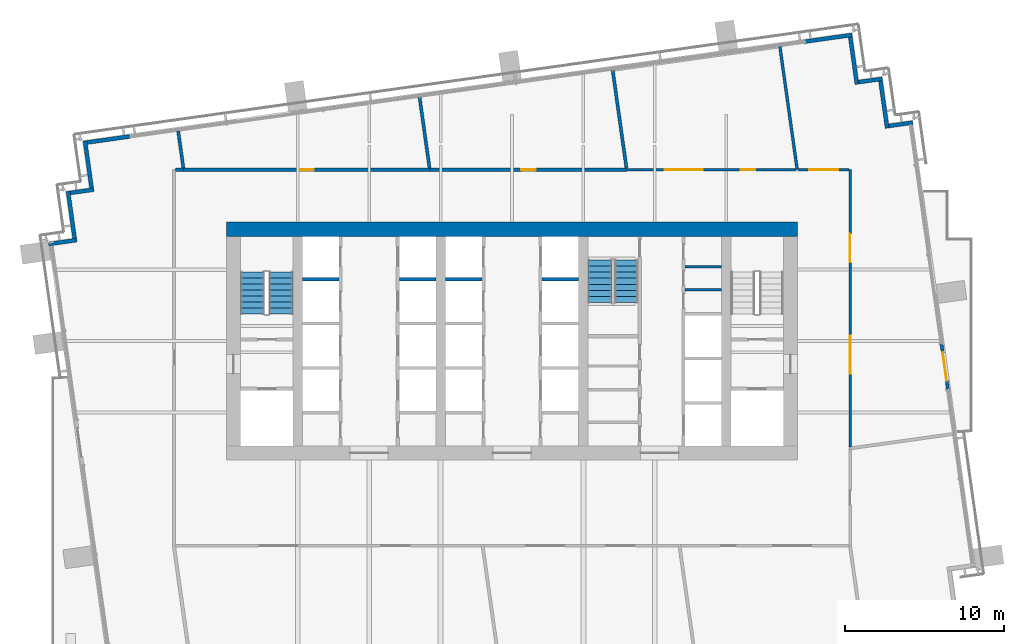
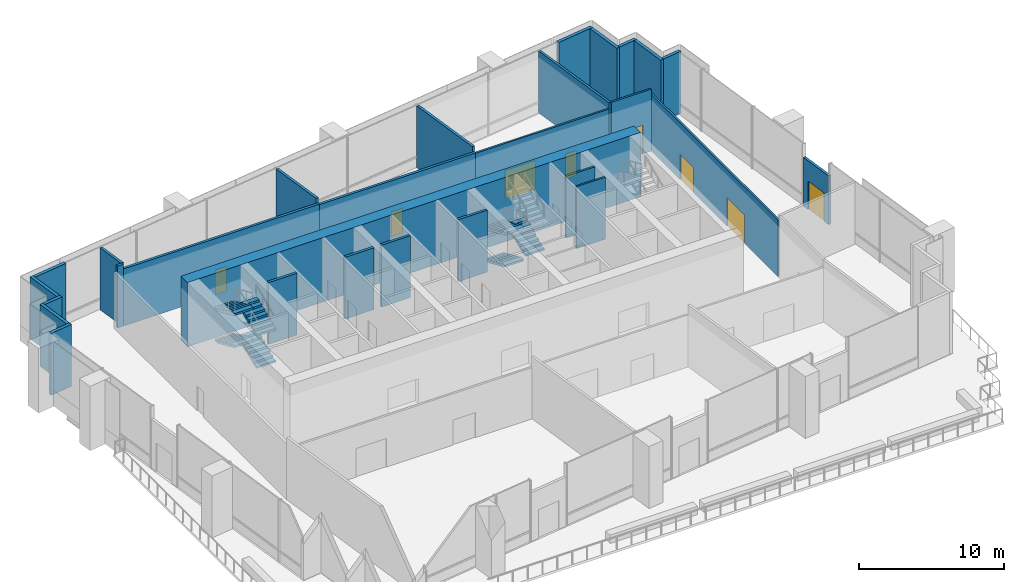
# One storey, part 10 of 17: 28 walls, 7 stair flights, 5 doors, 3 windows, 8 openings, 2 elements without a shape of their own.
"""IFC4 building model written with IfcOpenShell, lengths in metres."""

from ifc_helpers import new_model, si_unit, direction, frame, frame_2d, origin, place, context, subcontext, project, spatial, polyline, rectangle, outline, extrude, material, layer, layer_set, type_object, element, fill, aggregate, save


model = new_model("IFC4")

# Units and contexts
model_context = context("Model", 3, precision=1e-05, world=origin(), true_north=direction((0.0, 1.0)))
body_context = subcontext(model_context, "Body", "Model", "MODEL_VIEW")
ifc_project = project(units=[si_unit("LENGTHUNIT", "METRE"), si_unit("AREAUNIT", "SQUARE_METRE"), si_unit("VOLUMEUNIT", "CUBIC_METRE"), si_unit("PLANEANGLEUNIT", "RADIAN"), si_unit("MASSUNIT", "GRAM", prefix="KILO")], contexts=[model_context])

# Site, building, storey
site_placement = place(None, origin())
site = spatial("IfcSite", under=ifc_project, at=site_placement, CompositionType="ELEMENT")
building_placement = place(site_placement, origin())
building = spatial("IfcBuilding", under=site, at=building_placement, Name="Rattan Terrace Tower", CompositionType="ELEMENT")
storey_placement = place(building_placement, frame((0.0, 0.0, 163.10009765625)))
storey = spatial("IfcBuildingStorey", under=building, at=storey_placement, Name="L37", CompositionType="ELEMENT", Elevation=163.10009765625)

# Walls
ifc_material_1 = material(Name="Gypsum board partition")
ifc_layer_1 = layer(ifc_material_1, 0.14990234375)
ifc_layer_set_1 = layer_set([ifc_layer_1], Name="Core partition 150")
wall_type_1 = type_object("IfcWallType", Name="Core partition 150", PredefinedType="PARTITIONING", material=ifc_layer_set_1)
for number, where, z_axis, x_axis, name in (
    (1, (10.89990234375, 3.239990234375, 0.0), (0.0, 0.0, 1.0), (1.0, 0.0, 0.0), "Riser room wall"),
    (2, (10.89990234375, 4.679931640625, 0.0), (0.0, 0.0, 1.0), (1.0, 0.0, 0.0), "Riser room wall"),
):
    element("IfcWall", number, at=place(storey_placement, frame(where, z_axis=z_axis, x_axis=x_axis)), inside=storey, type_object=wall_type_1, Name=name, PredefinedType="PARTITIONING", context=body_context, shape_type="SweptSolid", body=[
        extrude(rectangle(XDim=2.300048828125, YDim=0.14990234375, at=frame_2d((1.14990234375, 0.0))), origin(), (0.0, 0.0, 1.0), 5.199951171875),
    ])
ifc_material_2 = material(Name="Concrete C60/75", Category="concrete")
ifc_layer_2 = layer(ifc_material_2, 0.89990234375)
ifc_layer_set_2 = layer_set([ifc_layer_2], Name="Core ring wall 900 C60/75")
wall_type_2 = type_object("IfcWallType", Name="Core ring wall 900 C60/75", PredefinedType="SHEAR", material=ifc_layer_set_2)
wall_1_placement = place(storey_placement, frame((-18.0, 7.050048828125, -0.2001953125), z_axis=(0.0, 0.0, 1.0), x_axis=(1.0, 0.0, 0.0)))
element("IfcWall", 3, at=wall_1_placement, inside=storey, type_object=wall_type_2, Name="Rear core wall north", PredefinedType="SHEAR", context=body_context, shape_type="SweptSolid", body=[
    extrude(rectangle(XDim=36.0, YDim=0.89990234375, at=frame_2d((18.0, 0.0))), origin(), (0.0, 0.0, 1.0), 5.400146484375),
])

# Wall, opening, door
ifc_material_3 = material(Name="Insulated aluminium-clad stud wall", Category="aluminium")
ifc_layer_3 = layer(ifc_material_3, 0.199951171875)
ifc_layer_set_3 = layer_set([ifc_layer_3], Name="Facade Door Wall 200")
wall_type_3 = type_object("IfcWallType", Name="Facade Door Wall 200", PredefinedType="SOLIDWALL", material=ifc_layer_set_3)
wall_2_placement = place(storey_placement, frame((27.4609375, -3.0185546875, 0.0), z_axis=(0.0, 0.0, 1.0), x_axis=(-0.139202330076, 0.990263960417, 0.0)))
wall_2 = element("IfcWall", 4, at=wall_2_placement, inside=storey, type_object=wall_type_3, Name="Terrace door wall L37-6", PredefinedType="SOLIDWALL", context=body_context, shape_type="SweptSolid", body=[
    extrude(rectangle(XDim=2.85009765625, YDim=0.199951171875, at=frame_2d((1.425048828125, 0.0))), origin(), (0.0, 0.0, 1.0), 4.099853515625),
])
opening_1_placement = place(wall_2_placement, frame((0.52490234375, 0.0, 0.0)))
opening_1 = element("IfcOpeningElement", 5, at=opening_1_placement, cuts=wall_2, Name="Opening L37-D701", PredefinedType="OPENING", context=body_context, shape_type="SweptSolid", body=[
    extrude(rectangle(XDim=1.800048828125, YDim=2.39990234375, at=frame_2d((0.89990234375, 1.199951171875))), frame((0.0, 0.110595703125, 0.0), z_axis=(0.0, -1.0, 0.0), x_axis=(1.0, 0.0, 0.0)), (0.0, 0.0, 1.0), 0.220947265625),
])
ifc_material_4 = material(Name="Aluminium and clear glass", Category="aluminium")
door_type_1 = type_object("IfcDoorType", Name="Facade Terrace Door 1800", OperationType="DOUBLE_DOOR_SINGLE_SWING", PredefinedType="DOOR", material=ifc_material_4)
door_1_placement = place(opening_1_placement, origin())
door_1 = element("IfcDoor", 6, at=door_1_placement, inside=storey, type_object=door_type_1, Name="Terrace door L37-D701", OperationType="DOUBLE_DOOR_SINGLE_SWING", OverallHeight=2.39990234375, OverallWidth=1.800048828125, PredefinedType="DOOR", context=body_context, shape_type="SweptSolid", body=[
    extrude(rectangle(XDim=1.800048828125, YDim=2.39990234375, at=frame_2d((0.89990234375, 1.199951171875))), frame((0.0, 0.02490234375, 0.0), z_axis=(0.0, -1.0, 0.0), x_axis=(1.0, 0.0, 0.0)), (0.0, 0.0, 1.0), 0.050048828125),
])
fill(opening_1, door_1)

# Walls
ifc_material_5 = material(Name="Insulated aluminium-clad stud wall", Category="aluminium")
ifc_layer_4 = layer(ifc_material_5, 0.25)
ifc_layer_set_4 = layer_set([ifc_layer_4], Name="Facade Riser Wall 250")
wall_type_4 = type_object("IfcWallType", Name="Facade Riser Wall 250", PredefinedType="SOLIDWALL", material=ifc_layer_set_4)
wall_3_placement = place(storey_placement, frame((25.2529296875, 13.767822265625, 0.0), z_axis=(0.0, 0.0, 1.0), x_axis=(-0.990248296447, -0.139313715703, 0.0)))
element("IfcWall", 7, at=wall_3_placement, inside=storey, type_object=wall_type_4, Name="Riser wall L37-7", PredefinedType="SOLIDWALL", context=body_context, shape_type="SweptSolid", body=[
    extrude(rectangle(XDim=1.524658203125, YDim=0.25, at=frame_2d((0.76220703125, 0.0))), origin(), (0.0, 0.0, 1.0), 5.199951171875),
])
wall_4_placement = place(storey_placement, frame((23.63671875, 13.414306640625, 0.0), z_axis=(0.0, 0.0, 1.0), x_axis=(-0.139313431826, 0.990248336385, 0.0)))
element("IfcWall", 8, at=wall_4_placement, inside=storey, type_object=wall_type_4, Name="Riser wall L37-8", PredefinedType="SOLIDWALL", context=body_context, shape_type="SweptSolid", body=[
    extrude(rectangle(XDim=3.000244140625, YDim=0.25, at=frame_2d((1.5, 0.0))), origin(), (0.0, 0.0, 1.0), 5.199951171875),
])
wall_5_placement = place(storey_placement, frame((23.3251953125, 16.5263671875, 0.0), z_axis=(0.0, 0.0, 1.0), x_axis=(-0.990243596651, -0.13934711799, 0.0)))
element("IfcWall", 9, at=wall_5_placement, inside=storey, type_object=wall_type_4, Name="Riser wall L37-9", PredefinedType="SOLIDWALL", context=body_context, shape_type="SweptSolid", body=[
    extrude(rectangle(XDim=1.499755859375, YDim=0.25, at=frame_2d((0.75, 0.0))), origin(), (0.0, 0.0, 1.0), 5.199951171875),
])
wall_6_placement = place(storey_placement, frame((21.733642578125, 16.17626953125, 0.0), z_axis=(0.0, 0.0, 1.0), x_axis=(-0.139313431826, 0.990248336385, 0.0)))
element("IfcWall", 10, at=wall_6_placement, inside=storey, type_object=wall_type_4, Name="Riser wall L37-10", PredefinedType="SOLIDWALL", context=body_context, shape_type="SweptSolid", body=[
    extrude(rectangle(XDim=3.000244140625, YDim=0.25, at=frame_2d((1.5, 0.0))), origin(), (0.0, 0.0, 1.0), 5.199951171875),
])
wall_7_placement = place(storey_placement, frame((21.422119140625, 19.288330078125, 0.0), z_axis=(0.0, 0.0, 1.0), x_axis=(-0.990246427036, -0.139327002919, 0.0)))
element("IfcWall", 11, at=wall_7_placement, inside=storey, type_object=wall_type_4, Name="Riser wall L37-11", PredefinedType="SOLIDWALL", context=body_context, shape_type="SweptSolid", body=[
    extrude(rectangle(XDim=2.954345703125, YDim=0.25, at=frame_2d((1.47705078125, 0.0))), origin(), (0.0, 0.0, 1.0), 5.199951171875),
])
wall_8_placement = place(storey_placement, frame((-24.08544921875, 12.892578125, 0.0), z_axis=(0.0, 0.0, 1.0), x_axis=(-0.990255800966, -0.139260362823, 0.0)))
element("IfcWall", 12, at=wall_8_placement, inside=storey, type_object=wall_type_4, Name="Riser wall L37-12", PredefinedType="SOLIDWALL", context=body_context, shape_type="SweptSolid", body=[
    extrude(rectangle(XDim=2.705078125, YDim=0.25, at=frame_2d((1.3525390625, 0.0))), origin(), (0.0, 0.0, 1.0), 5.199951171875),
])
wall_9_placement = place(storey_placement, frame((-26.9052734375, 12.6220703125, 0.0), z_axis=(0.0, 0.0, 1.0), x_axis=(0.139313431826, -0.990248336385, 0.0)))
element("IfcWall", 13, at=wall_9_placement, inside=storey, type_object=wall_type_4, Name="Riser wall L37-13", PredefinedType="SOLIDWALL", context=body_context, shape_type="SweptSolid", body=[
    extrude(rectangle(XDim=3.000244140625, YDim=0.25, at=frame_2d((1.5, 0.0))), origin(), (0.0, 0.0, 1.0), 5.199951171875),
])
wall_10_placement = place(storey_placement, frame((-26.34619140625, 9.54443359375, 0.0), z_axis=(0.0, 0.0, 1.0), x_axis=(-0.990368090482, -0.13845954411, 0.0)))
element("IfcWall", 14, at=wall_10_placement, inside=storey, type_object=wall_type_4, Name="Riser wall L37-14", PredefinedType="SOLIDWALL", context=body_context, shape_type="SweptSolid", body=[
    extrude(rectangle(XDim=1.50048828125, YDim=0.25, at=frame_2d((0.750244140625, 0.0))), origin(), (0.0, 0.0, 1.0), 5.199951171875),
])
wall_11_placement = place(storey_placement, frame((-27.973388671875, 9.443115234375, 0.0), z_axis=(0.0, 0.0, 1.0), x_axis=(0.139313431826, -0.990248336385, 0.0)))
element("IfcWall", 15, at=wall_11_placement, inside=storey, type_object=wall_type_4, Name="Riser wall L37-15", PredefinedType="SOLIDWALL", context=body_context, shape_type="SweptSolid", body=[
    extrude(rectangle(XDim=3.000244140625, YDim=0.25, at=frame_2d((1.5, 0.0))), origin(), (0.0, 0.0, 1.0), 5.199951171875),
])
wall_12_placement = place(storey_placement, frame((-27.414306640625, 6.36572265625, 0.0), z_axis=(0.0, 0.0, 1.0), x_axis=(-0.990256286673, -0.139256908998, 0.0)))
element("IfcWall", 16, at=wall_12_placement, inside=storey, type_object=wall_type_4, Name="Riser wall L37-16", PredefinedType="SOLIDWALL", context=body_context, shape_type="SweptSolid", body=[
    extrude(rectangle(XDim=1.800537109375, YDim=0.25, at=frame_2d((0.900390625, 0.0))), origin(), (0.0, 0.0, 1.0), 5.199951171875),
])
ifc_material_6 = material(Name="Double steel stud acoustic partition, gypsum board, mineral wool, fire rated", Category="steel")
ifc_layer_5 = layer(ifc_material_6, 0.179931640625)
ifc_layer_set_5 = layer_set([ifc_layer_5], Name="Floors Acoustic Party Wall 180")
wall_type_5 = type_object("IfcWallType", Name="Floors Acoustic Party Wall 180", PredefinedType="PARTITIONING", material=ifc_layer_set_5)
wall_13_placement = place(storey_placement, frame((16.87890625, 18.55908203125, 0.0), z_axis=(0.0, 0.0, 1.0), x_axis=(0.139126403365, -0.990274630538, 0.0)))
element("IfcWall", 17, at=wall_13_placement, inside=storey, type_object=wall_type_5, Name="pt-L37-016", PredefinedType="PARTITIONING", context=body_context, shape_type="SweptSolid", body=[
    extrude(rectangle(XDim=7.835205078125, YDim=0.179931640625, at=frame_2d((3.91748046875, 0.0))), origin(), (0.0, 0.0, 1.0), 5.199951171875),
])
ifc_material_7 = material(Name="Concrete block wall, plastered", Category="concrete")
ifc_layer_6 = layer(ifc_material_7, 0.199951171875)
ifc_layer_set_6 = layer_set([ifc_layer_6], Name="Floors Plant Wall 200")
wall_type_6 = type_object("IfcWallType", Name="Floors Plant Wall 200", PredefinedType="PARTITIONING", material=ifc_layer_set_6)
wall_14_placement = place(storey_placement, frame((-21.199951171875, 10.801025390625, 0.0), z_axis=(0.0, 0.0, 1.0), x_axis=(1.0, 0.0, 0.0)))
element("IfcWall", 18, at=wall_14_placement, inside=storey, type_object=wall_type_6, Name="pt-L37-009", PredefinedType="PARTITIONING", context=body_context, shape_type="SweptSolid", body=[
    extrude(rectangle(XDim=0.490966796875, YDim=0.199951171875, at=frame_2d((0.24560546875, 0.0))), origin(), (0.0, 0.0, 1.0), 5.199951171875),
])

# Wall, opening, door
wall_15_placement = place(storey_placement, frame((-20.708984375, 10.800048828125, 0.0), z_axis=(0.0, 0.0, 1.0), x_axis=(1.0, 0.0, 0.0)))
wall_15 = element("IfcWall", 19, at=wall_15_placement, inside=storey, type_object=wall_type_6, Name="pt-L37-010", PredefinedType="PARTITIONING", context=body_context, shape_type="SweptSolid", body=[
    extrude(rectangle(XDim=15.548095703125, YDim=0.199951171875, at=frame_2d((7.77392578125, 0.0))), origin(), (0.0, 0.0, 1.0), 4.7998046875),
])
opening_2_placement = place(wall_15_placement, frame((7.323974609375, 0.0, 0.0)))
opening_2 = element("IfcOpeningElement", 20, at=opening_2_placement, cuts=wall_15, Name="Opening L37-D107", PredefinedType="OPENING", context=body_context, shape_type="SweptSolid", body=[
    extrude(rectangle(XDim=0.89990234375, YDim=2.10009765625, at=frame_2d((0.449951171875, 1.050048828125))), frame((0.0, 0.110595703125, 0.0), z_axis=(0.0, -1.0, 0.0), x_axis=(1.0, 0.0, 0.0)), (0.0, 0.0, 1.0), 0.220947265625),
])
ifc_material_8 = material(Name="Steel fire door set", Category="steel")
door_type_2 = type_object("IfcDoorType", Name="Floors Fire Door FD60 900x2100", OperationType="NOTDEFINED", PredefinedType="DOOR", material=ifc_material_8)
door_2_placement = place(opening_2_placement, origin())
door_2 = element("IfcDoor", 21, at=door_2_placement, inside=storey, type_object=door_type_2, Name="d-L37-107", OperationType="SINGLE_SWING_RIGHT", OverallHeight=2.10009765625, OverallWidth=0.89990234375, PredefinedType="DOOR", context=body_context, shape_type="SweptSolid", body=[
    extrude(rectangle(XDim=0.89990234375, YDim=2.10009765625, at=frame_2d((0.449951171875, 1.050048828125))), frame((0.0, 0.02490234375, 0.0), z_axis=(0.0, -1.0, 0.0), x_axis=(1.0, 0.0, 0.0)), (0.0, 0.0, 1.0), 0.050048828125),
])
fill(opening_2, door_2)

wall_16_placement = place(storey_placement, frame((-5.160888671875, 10.800048828125, 0.0), z_axis=(0.0, 0.0, 1.0), x_axis=(1.0, 0.0, 0.0)))
wall_16 = element("IfcWall", 22, at=wall_16_placement, inside=storey, type_object=wall_type_6, Name="pt-L37-011", PredefinedType="PARTITIONING", context=body_context, shape_type="SweptSolid", body=[
    extrude(rectangle(XDim=12.406982421875, YDim=0.199951171875, at=frame_2d((6.20361328125, 0.0))), origin(), (0.0, 0.0, 1.0), 4.75),
])
opening_3_placement = place(wall_16_placement, frame((5.7529296875, 0.0, 0.0)))
opening_3 = element("IfcOpeningElement", 23, at=opening_3_placement, cuts=wall_16, Name="Opening L37-D108", PredefinedType="OPENING", context=body_context, shape_type="SweptSolid", body=[
    extrude(rectangle(XDim=0.89990234375, YDim=2.10009765625, at=frame_2d((0.449951171875, 1.050048828125))), frame((0.0, 0.110595703125, 0.0), z_axis=(0.0, -1.0, 0.0), x_axis=(1.0, 0.0, 0.0)), (0.0, 0.0, 1.0), 0.220947265625),
])
door_3_placement = place(opening_3_placement, origin())
door_3 = element("IfcDoor", 24, at=door_3_placement, inside=storey, type_object=door_type_2, Name="d-L37-108", OperationType="SINGLE_SWING_LEFT", OverallHeight=2.10009765625, OverallWidth=0.89990234375, PredefinedType="DOOR", context=body_context, shape_type="SweptSolid", body=[
    extrude(rectangle(XDim=0.89990234375, YDim=2.10009765625, at=frame_2d((0.449951171875, 1.050048828125))), frame((0.0, 0.02490234375, 0.0), z_axis=(0.0, -1.0, 0.0), x_axis=(1.0, 0.0, 0.0)), (0.0, 0.0, 1.0), 0.050048828125),
])
fill(opening_3, door_3)

# Walls
wall_17_placement = place(storey_placement, frame((7.2099609375, 10.9140625, 0.0), z_axis=(0.0, 0.0, 1.0), x_axis=(-0.139301113036, 0.99025006938, 0.0)))
element("IfcWall", 25, at=wall_17_placement, inside=storey, type_object=wall_type_6, Name="pt-L37-017", PredefinedType="PARTITIONING", context=body_context, shape_type="SweptSolid", body=[
    extrude(rectangle(XDim=6.2236328125, YDim=0.199951171875, at=frame_2d((3.11181640625, 0.0))), origin(), (0.0, 0.0, 1.0), 5.199951171875),
])
wall_18_placement = place(storey_placement, frame((-21.031982421875, 13.23095703125, 0.0), z_axis=(0.0, 0.0, 1.0), x_axis=(0.139343856524, -0.990244055599, 0.0)))
element("IfcWall", 26, at=wall_18_placement, inside=storey, type_object=wall_type_6, Name="pt-L37-019", PredefinedType="PARTITIONING", context=body_context, shape_type="SweptSolid", body=[
    extrude(rectangle(XDim=2.35302734375, YDim=0.199951171875, at=frame_2d((1.176513671875, 0.0))), origin(), (0.0, 0.0, 1.0), 5.199951171875),
])
wall_19_placement = place(storey_placement, frame((-5.822998046875, 15.366943359375, 0.0), z_axis=(0.0, 0.0, 1.0), x_axis=(0.139209077392, -0.990263011917, 0.0)))
element("IfcWall", 27, at=wall_19_placement, inside=storey, type_object=wall_type_6, Name="pt-L37-020", PredefinedType="PARTITIONING", context=body_context, shape_type="SweptSolid", body=[
    extrude(rectangle(XDim=4.49658203125, YDim=0.199951171875, at=frame_2d((2.248291015625, 0.0))), origin(), (0.0, 0.0, 1.0), 5.199951171875),
])

# Wall, openings, door, window
ifc_material_9 = material(Name="Gypsum board partition on steel studs, fire rated", Category="steel")
ifc_layer_7 = layer(ifc_material_9, 0.14990234375)
ifc_layer_set_7 = layer_set([ifc_layer_7], Name="Floors Tenancy Wall 150")
wall_type_7 = type_object("IfcWallType", Name="Floors Tenancy Wall 150", PredefinedType="PARTITIONING", material=ifc_layer_set_7)
wall_20_placement = place(storey_placement, frame((7.24609375, 10.800048828125, 0.0), z_axis=(0.0, 0.0, 1.0), x_axis=(1.0, 0.0, 0.0)))
wall_20 = element("IfcWall", 28, at=wall_20_placement, inside=storey, type_object=wall_type_7, Name="pt-L37-004", PredefinedType="PARTITIONING", context=body_context, shape_type="SweptSolid", body=[
    extrude(rectangle(XDim=10.621826171875, YDim=0.14990234375, at=frame_2d((5.31103515625, 0.0))), origin(), (0.0, 0.0, 1.0), 4.699951171875),
])
opening_4_placement = place(wall_20_placement, frame((7.166015625, 0.0, 0.0)))
opening_4 = element("IfcOpeningElement", 29, at=opening_4_placement, cuts=wall_20, Name="Opening L37-D103", PredefinedType="OPENING", context=body_context, shape_type="SweptSolid", body=[
    extrude(rectangle(XDim=0.89990234375, YDim=2.10009765625, at=frame_2d((0.449951171875, 1.050048828125))), frame((0.0, 0.08544921875, 0.0), z_axis=(0.0, -1.0, 0.0), x_axis=(1.0, 0.0, 0.0)), (0.0, 0.0, 1.0), 0.1708984375),
])
opening_5_placement = place(wall_20_placement, frame((2.383056640625, 0.0, 0.0)))
opening_5 = element("IfcOpeningElement", 30, at=opening_5_placement, cuts=wall_20, Name="Opening L37-W103", PredefinedType="OPENING", context=body_context, shape_type="SweptSolid", body=[
    extrude(rectangle(XDim=2.39990234375, YDim=2.39990234375, at=frame_2d((1.199951171875, 1.199951171875))), frame((0.0, 0.08544921875, 0.0), z_axis=(0.0, -1.0, 0.0), x_axis=(1.0, 0.0, 0.0)), (0.0, 0.0, 1.0), 0.1708984375),
])
ifc_material_10 = material(Name="Steel fire door set", Category="steel")
door_type_3 = type_object("IfcDoorType", Name="Floors Fire Door FD30S 900x2100", OperationType="NOTDEFINED", PredefinedType="DOOR", material=ifc_material_10)
door_4_placement = place(opening_4_placement, origin())
door_4 = element("IfcDoor", 31, at=door_4_placement, inside=storey, type_object=door_type_3, Name="d-L37-103", OperationType="SINGLE_SWING_RIGHT", OverallHeight=2.10009765625, OverallWidth=0.89990234375, PredefinedType="DOOR", context=body_context, shape_type="SweptSolid", body=[
    extrude(rectangle(XDim=0.89990234375, YDim=2.10009765625, at=frame_2d((0.449951171875, 1.050048828125))), frame((0.0, 0.02490234375, 0.0), z_axis=(0.0, -1.0, 0.0), x_axis=(1.0, 0.0, 0.0)), (0.0, 0.0, 1.0), 0.050048828125),
])
fill(opening_4, door_4)
ifc_material_11 = material(Name="Glass, clear, fixed in aluminium frame", Category="aluminium")
window_type_1 = type_object("IfcWindowType", Name="Interior Glazed Screen 2400x2400", PartitioningType="SINGLE_PANEL", PredefinedType="WINDOW", material=ifc_material_11)
window_1_placement = place(opening_5_placement, origin())
window_1 = element("IfcWindow", 32, at=window_1_placement, inside=storey, type_object=window_type_1, Name="w-L37-103", OverallHeight=2.39990234375, OverallWidth=2.39990234375, PartitioningType="SINGLE_PANEL", PredefinedType="WINDOW", context=body_context, shape_type="SweptSolid", body=[
    extrude(rectangle(XDim=2.39990234375, YDim=2.39990234375, at=frame_2d((1.199951171875, 1.199951171875))), frame((0.0, 0.030029296875, 0.0), z_axis=(0.0, -1.0, 0.0), x_axis=(1.0, 0.0, 0.0)), (0.0, 0.0, 1.0), 0.06005859375),
])
fill(opening_5, window_1)

# Wall, opening, window
wall_21_placement = place(storey_placement, frame((18.05810546875, 10.800048828125, 0.0), z_axis=(0.0, 0.0, 1.0), x_axis=(1.0, 0.0, 0.0)))
wall_21 = element("IfcWall", 33, at=wall_21_placement, inside=storey, type_object=wall_type_7, Name="pt-L37-006", PredefinedType="PARTITIONING", context=body_context, shape_type="SweptSolid", body=[
    extrude(rectangle(XDim=3.1669921875, YDim=0.14990234375, at=frame_2d((1.58349609375, 0.0))), origin(), (0.0, 0.0, 1.0), 5.199951171875),
])
opening_6_placement = place(wall_21_placement, frame((0.68310546875, 0.0, 0.0)))
opening_6 = element("IfcOpeningElement", 34, at=opening_6_placement, cuts=wall_21, Name="Opening L37-W104", PredefinedType="OPENING", context=body_context, shape_type="SweptSolid", body=[
    extrude(rectangle(XDim=1.800048828125, YDim=2.39990234375, at=frame_2d((0.89990234375, 1.199951171875))), frame((0.0, 0.08544921875, 0.0), z_axis=(0.0, -1.0, 0.0), x_axis=(1.0, 0.0, 0.0)), (0.0, 0.0, 1.0), 0.1708984375),
])
ifc_material_12 = material(Name="Glass, clear, fixed in aluminium frame", Category="aluminium")
window_type_2 = type_object("IfcWindowType", Name="Interior Glazed Screen 1800x2400", PartitioningType="SINGLE_PANEL", PredefinedType="WINDOW", material=ifc_material_12)
window_2_placement = place(opening_6_placement, origin())
window_2 = element("IfcWindow", 35, at=window_2_placement, inside=storey, type_object=window_type_2, Name="w-L37-104", OverallHeight=2.39990234375, OverallWidth=1.800048828125, PartitioningType="SINGLE_PANEL", PredefinedType="WINDOW", context=body_context, shape_type="SweptSolid", body=[
    extrude(rectangle(XDim=1.800048828125, YDim=2.39990234375, at=frame_2d((0.89990234375, 1.199951171875))), frame((0.0, 0.030029296875, 0.0), z_axis=(0.0, -1.0, 0.0), x_axis=(1.0, 0.0, 0.0)), (0.0, 0.0, 1.0), 0.06005859375),
])
fill(opening_6, window_2)

# Wall, openings, door, window
wall_22_placement = place(storey_placement, frame((21.300048828125, 10.800048828125, 0.0), z_axis=(0.0, 0.0, 1.0), x_axis=(0.0, -1.0, 0.0)))
wall_22 = element("IfcWall", 36, at=wall_22_placement, inside=storey, type_object=wall_type_7, Name="pt-L37-007", PredefinedType="PARTITIONING", context=body_context, shape_type="SweptSolid", body=[
    extrude(rectangle(XDim=17.4609375, YDim=0.14990234375, at=frame_2d((8.73046875, 0.0))), origin(), (0.0, 0.0, 1.0), 4.75),
])
opening_7_placement = place(wall_22_placement, frame((4.0400390625, 0.0, 0.0)))
opening_7 = element("IfcOpeningElement", 37, at=opening_7_placement, cuts=wall_22, Name="Opening L37-D105", PredefinedType="OPENING", context=body_context, shape_type="SweptSolid", body=[
    extrude(rectangle(XDim=1.800048828125, YDim=2.10009765625, at=frame_2d((0.89990234375, 1.050048828125))), frame((0.0, 0.08544921875, 0.0), z_axis=(0.0, -1.0, 0.0), x_axis=(1.0, 0.0, 0.0)), (0.0, 0.0, 1.0), 0.1708984375),
])
opening_8_placement = place(wall_22_placement, frame((10.448974609375, 0.0, 0.0)))
opening_8 = element("IfcOpeningElement", 38, at=opening_8_placement, cuts=wall_22, Name="Opening L37-W105", PredefinedType="OPENING", context=body_context, shape_type="SweptSolid", body=[
    extrude(rectangle(XDim=2.39990234375, YDim=2.39990234375, at=frame_2d((1.199951171875, 1.199951171875))), frame((0.0, 0.08544921875, 0.0), z_axis=(0.0, -1.0, 0.0), x_axis=(1.0, 0.0, 0.0)), (0.0, 0.0, 1.0), 0.1708984375),
])
ifc_material_13 = material(Name="Steel fire door set", Category="steel")
door_type_4 = type_object("IfcDoorType", Name="Floors Fire Door Pair FD30S 1800x2100", OperationType="NOTDEFINED", PredefinedType="DOOR", material=ifc_material_13)
door_5_placement = place(opening_7_placement, origin())
door_5 = element("IfcDoor", 39, at=door_5_placement, inside=storey, type_object=door_type_4, Name="d-L37-105", OperationType="DOUBLE_DOOR_SINGLE_SWING", OverallHeight=2.10009765625, OverallWidth=1.800048828125, PredefinedType="DOOR", context=body_context, shape_type="SweptSolid", body=[
    extrude(rectangle(XDim=1.800048828125, YDim=2.10009765625, at=frame_2d((0.89990234375, 1.050048828125))), frame((0.0, 0.02490234375, 0.0), z_axis=(0.0, -1.0, 0.0), x_axis=(1.0, 0.0, 0.0)), (0.0, 0.0, 1.0), 0.050048828125),
])
fill(opening_7, door_5)
window_3_placement = place(opening_8_placement, origin())
window_3 = element("IfcWindow", 40, at=window_3_placement, inside=storey, type_object=window_type_1, Name="w-L37-105", OverallHeight=2.39990234375, OverallWidth=2.39990234375, PartitioningType="SINGLE_PANEL", PredefinedType="WINDOW", context=body_context, shape_type="SweptSolid", body=[
    extrude(rectangle(XDim=2.39990234375, YDim=2.39990234375, at=frame_2d((1.199951171875, 1.199951171875))), frame((0.0, 0.030029296875, 0.0), z_axis=(0.0, -1.0, 0.0), x_axis=(1.0, 0.0, 0.0)), (0.0, 0.0, 1.0), 0.06005859375),
])
fill(opening_8, window_3)

# Walls
ifc_material_14 = material(Name="Gypsum shaft wall system")
ifc_layer_8 = layer(ifc_material_14, 0.199951171875)
ifc_layer_set_8 = layer_set([ifc_layer_8], Name="Lift shaft wall 200")
wall_type_8 = type_object("IfcWallType", Name="Lift shaft wall 200", PredefinedType="PARTITIONING", material=ifc_layer_set_8)
for number, where, z_axis, x_axis, name in (
    (41, (-13.199951171875, 3.89990234375, 0.0), (0.0, 0.0, 1.0), (1.0, 0.0, 0.0), "Lift shaft wall"),
    (42, (-7.10009765625, 3.89990234375, 0.0), (0.0, 0.0, 1.0), (1.0, 0.0, 0.0), "Lift shaft wall"),
    (43, (-4.199951171875, 3.89990234375, 0.0), (0.0, 0.0, 1.0), (1.0, 0.0, 0.0), "Lift shaft wall"),
    (44, (1.89990234375, 3.89990234375, 0.0), (0.0, 0.0, 1.0), (1.0, 0.0, 0.0), "Lift shaft wall"),
):
    element("IfcWall", number, at=place(storey_placement, frame(where, z_axis=z_axis, x_axis=x_axis)), inside=storey, type_object=wall_type_8, Name=name, PredefinedType="PARTITIONING", context=body_context, shape_type="SweptSolid", body=[
        extrude(rectangle(XDim=2.300048828125, YDim=0.199951171875, at=frame_2d((1.14990234375, 0.0))), origin(), (0.0, 0.0, 1.0), 5.199951171875),
    ])

# Stair, stair flights
ifc_material_15 = material(Name="Concrete C40/50", Category="concrete")
stair_type = type_object("IfcStairType", Name="Core exit stair 1500", PredefinedType="HALF_TURN_STAIR", material=ifc_material_15)
stair_1_placement = place(storey_placement, origin())
stair_1 = element("IfcStair", 45, at=stair_1_placement, inside=storey, type_object=stair_type, Name="L37 exit stair 1", PredefinedType="HALF_TURN_STAIR")
ifc_material_16 = material(Name="Concrete C40/50", Category="concrete")
stair_flight_type = type_object("IfcStairFlightType", Name="Core exit stair flight 1500", PredefinedType="STRAIGHT", material=ifc_material_16)
stair_flight_1_placement = place(storey_placement, frame((-14.550048828125, 1.699951171875, 0.0), z_axis=(0.0, 0.0, 1.0), x_axis=(0.0, 1.0, 0.0)))
stair_flight_1 = element("IfcStairFlight", 46, at=stair_flight_1_placement, type_object=stair_flight_type, Name="S1 flight 1", NumberOfRisers=8, NumberOfTreads=7, PredefinedType="STRAIGHT", RiserHeight=0.16875, TreadLength=0.38, context=body_context, shape_type="SweptSolid", body=[
    extrude(outline(polyline([(0.0, 0.0), (0.0, 0.168701171875), (0.3798828125, 0.168701171875), (0.3798828125, 0.33740234375), (0.760009765625, 0.33740234375), (0.760009765625, 0.50634765625), (1.139892578125, 0.50634765625), (1.139892578125, 0.675048828125), (1.52001953125, 0.675048828125), (1.52001953125, 0.84375), (1.89990234375, 0.84375), (1.89990234375, 1.012451171875), (2.280029296875, 1.012451171875), (2.280029296875, 1.18115234375), (2.659912109375, 1.18115234375), (2.659912109375, 1.35009765625), (2.659912109375, 1.017333984375), (0.369384765625, 0.0), (0.0, 0.0)])), frame((0.0, 0.75, 0.0), z_axis=(0.0, -1.0, 0.0), x_axis=(1.0, 0.0, 0.0)), (0.0, 0.0, 1.0), 1.5),
])
stair_flight_2_placement = place(storey_placement, frame((-16.35009765625, 4.360107421875, 1.349853515625), z_axis=(0.0, 0.0, 1.0), x_axis=(0.0, -1.0, 0.0)))
stair_flight_2 = element("IfcStairFlight", 47, at=stair_flight_2_placement, type_object=stair_flight_type, Name="S1 flight 2", NumberOfRisers=8, NumberOfTreads=7, PredefinedType="STRAIGHT", RiserHeight=0.16875, TreadLength=0.38, context=body_context, shape_type="SweptSolid", body=[
    extrude(outline(polyline([(0.0, 0.0), (0.0, 0.168701171875), (0.3798828125, 0.168701171875), (0.3798828125, 0.33740234375), (0.760009765625, 0.33740234375), (0.760009765625, 0.50634765625), (1.139892578125, 0.50634765625), (1.139892578125, 0.675048828125), (1.52001953125, 0.675048828125), (1.52001953125, 0.84375), (1.89990234375, 0.84375), (1.89990234375, 1.012451171875), (2.280029296875, 1.012451171875), (2.280029296875, 1.18115234375), (2.659912109375, 1.18115234375), (2.659912109375, 1.35009765625), (2.659912109375, 1.017333984375), (0.369384765625, 0.0), (0.0, 0.0)])), frame((0.0, 0.75, 0.0), z_axis=(0.0, -1.0, 0.0), x_axis=(1.0, 0.0, 0.0)), (0.0, 0.0, 1.0), 1.5),
])
stair_flight_3_placement = place(storey_placement, frame((-14.550048828125, 1.699951171875, 2.699951171875), z_axis=(0.0, 0.0, 1.0), x_axis=(0.0, 1.0, 0.0)))
stair_flight_3 = element("IfcStairFlight", 48, at=stair_flight_3_placement, type_object=stair_flight_type, Name="S1 flight 3", NumberOfRisers=8, NumberOfTreads=7, PredefinedType="STRAIGHT", RiserHeight=0.16875, TreadLength=0.38, context=body_context, shape_type="SweptSolid", body=[
    extrude(outline(polyline([(0.0, 0.0), (0.0, 0.168701171875), (0.3798828125, 0.168701171875), (0.3798828125, 0.33740234375), (0.760009765625, 0.33740234375), (0.760009765625, 0.50634765625), (1.139892578125, 0.50634765625), (1.139892578125, 0.675048828125), (1.52001953125, 0.675048828125), (1.52001953125, 0.84375), (1.89990234375, 0.84375), (1.89990234375, 1.012451171875), (2.280029296875, 1.012451171875), (2.280029296875, 1.18115234375), (2.659912109375, 1.18115234375), (2.659912109375, 1.35009765625), (2.659912109375, 1.017333984375), (0.369384765625, 0.0), (0.0, 0.0)])), frame((0.0, 0.75, 0.0), z_axis=(0.0, -1.0, 0.0), x_axis=(1.0, 0.0, 0.0)), (0.0, 0.0, 1.0), 1.5),
])
stair_flight_4_placement = place(storey_placement, frame((-16.35009765625, 4.360107421875, 4.0498046875), z_axis=(0.0, 0.0, 1.0), x_axis=(0.0, -1.0, 0.0)))
stair_flight_4 = element("IfcStairFlight", 49, at=stair_flight_4_placement, type_object=stair_flight_type, Name="S1 flight 4", NumberOfRisers=8, NumberOfTreads=7, PredefinedType="STRAIGHT", RiserHeight=0.16875, TreadLength=0.38, context=body_context, shape_type="SweptSolid", body=[
    extrude(outline(polyline([(0.0, 0.0), (0.0, 0.168701171875), (0.3798828125, 0.168701171875), (0.3798828125, 0.33740234375), (0.760009765625, 0.33740234375), (0.760009765625, 0.50634765625), (1.139892578125, 0.50634765625), (1.139892578125, 0.675048828125), (1.52001953125, 0.675048828125), (1.52001953125, 0.84375), (1.89990234375, 0.84375), (1.89990234375, 1.012451171875), (2.280029296875, 1.012451171875), (2.280029296875, 1.18115234375), (2.659912109375, 1.18115234375), (2.659912109375, 1.35009765625), (2.659912109375, 1.017333984375), (0.369384765625, 0.0), (0.0, 0.0)])), frame((0.0, 0.75, 0.0), z_axis=(0.0, -1.0, 0.0), x_axis=(1.0, 0.0, 0.0)), (0.0, 0.0, 1.0), 1.5),
])
aggregate(stair_1, [stair_flight_1, stair_flight_2, stair_flight_3, stair_flight_4])

stair_2_placement = place(storey_placement, origin())
stair_2 = element("IfcStair", 50, at=stair_2_placement, inside=storey, type_object=stair_type, Name="L37 exit stair 3", PredefinedType="HALF_TURN_STAIR")
stair_flight_5_placement = place(storey_placement, frame((5.550048828125, 5.10009765625, 0.0), z_axis=(0.0, 0.0, 1.0), x_axis=(0.0, -1.0, 0.0)))
stair_flight_5 = element("IfcStairFlight", 51, at=stair_flight_5_placement, type_object=stair_flight_type, Name="S3 flight 1", NumberOfRisers=8, NumberOfTreads=7, PredefinedType="STRAIGHT", RiserHeight=0.16875, TreadLength=0.38, context=body_context, shape_type="SweptSolid", body=[
    extrude(outline(polyline([(0.0, 0.0), (0.0, 0.168701171875), (0.3798828125, 0.168701171875), (0.3798828125, 0.33740234375), (0.760009765625, 0.33740234375), (0.760009765625, 0.50634765625), (1.139892578125, 0.50634765625), (1.139892578125, 0.675048828125), (1.52001953125, 0.675048828125), (1.52001953125, 0.84375), (1.89990234375, 0.84375), (1.89990234375, 1.012451171875), (2.280029296875, 1.012451171875), (2.280029296875, 1.18115234375), (2.659912109375, 1.18115234375), (2.659912109375, 1.35009765625), (2.659912109375, 1.017333984375), (0.369384765625, 0.0), (0.0, 0.0)])), frame((0.0, 0.75, 0.0), z_axis=(0.0, -1.0, 0.0), x_axis=(1.0, 0.0, 0.0)), (0.0, 0.0, 1.0), 1.5),
])
stair_flight_6_placement = place(storey_placement, frame((7.199951171875, 2.43994140625, 1.349853515625), z_axis=(0.0, 0.0, 1.0), x_axis=(0.0, 1.0, 0.0)))
stair_flight_6 = element("IfcStairFlight", 52, at=stair_flight_6_placement, type_object=stair_flight_type, Name="S3 flight 2", NumberOfRisers=8, NumberOfTreads=7, PredefinedType="STRAIGHT", RiserHeight=0.16875, TreadLength=0.38, context=body_context, shape_type="SweptSolid", body=[
    extrude(outline(polyline([(0.0, 0.0), (0.0, 0.168701171875), (0.3798828125, 0.168701171875), (0.3798828125, 0.33740234375), (0.760009765625, 0.33740234375), (0.760009765625, 0.50634765625), (1.139892578125, 0.50634765625), (1.139892578125, 0.675048828125), (1.52001953125, 0.675048828125), (1.52001953125, 0.84375), (1.89990234375, 0.84375), (1.89990234375, 1.012451171875), (2.280029296875, 1.012451171875), (2.280029296875, 1.18115234375), (2.659912109375, 1.18115234375), (2.659912109375, 1.35009765625), (2.659912109375, 1.017333984375), (0.369384765625, 0.0), (0.0, 0.0)])), frame((0.0, 0.75, 0.0), z_axis=(0.0, -1.0, 0.0), x_axis=(1.0, 0.0, 0.0)), (0.0, 0.0, 1.0), 1.5),
])
stair_flight_7_placement = place(storey_placement, frame((5.550048828125, 5.10009765625, 2.699951171875), z_axis=(0.0, 0.0, 1.0), x_axis=(0.0, -1.0, 0.0)))
stair_flight_7 = element("IfcStairFlight", 53, at=stair_flight_7_placement, type_object=stair_flight_type, Name="S3 flight 3", NumberOfRisers=8, NumberOfTreads=7, PredefinedType="STRAIGHT", RiserHeight=0.16875, TreadLength=0.38, context=body_context, shape_type="SweptSolid", body=[
    extrude(outline(polyline([(0.0, 0.0), (0.0, 0.168701171875), (0.3798828125, 0.168701171875), (0.3798828125, 0.33740234375), (0.760009765625, 0.33740234375), (0.760009765625, 0.50634765625), (1.139892578125, 0.50634765625), (1.139892578125, 0.675048828125), (1.52001953125, 0.675048828125), (1.52001953125, 0.84375), (1.89990234375, 0.84375), (1.89990234375, 1.012451171875), (2.280029296875, 1.012451171875), (2.280029296875, 1.18115234375), (2.659912109375, 1.18115234375), (2.659912109375, 1.35009765625), (2.659912109375, 1.017333984375), (0.369384765625, 0.0), (0.0, 0.0)])), frame((0.0, 0.75, 0.0), z_axis=(0.0, -1.0, 0.0), x_axis=(1.0, 0.0, 0.0)), (0.0, 0.0, 1.0), 1.5),
])
aggregate(stair_2, [stair_flight_5, stair_flight_6, stair_flight_7])

save(model, "model.ifc")
